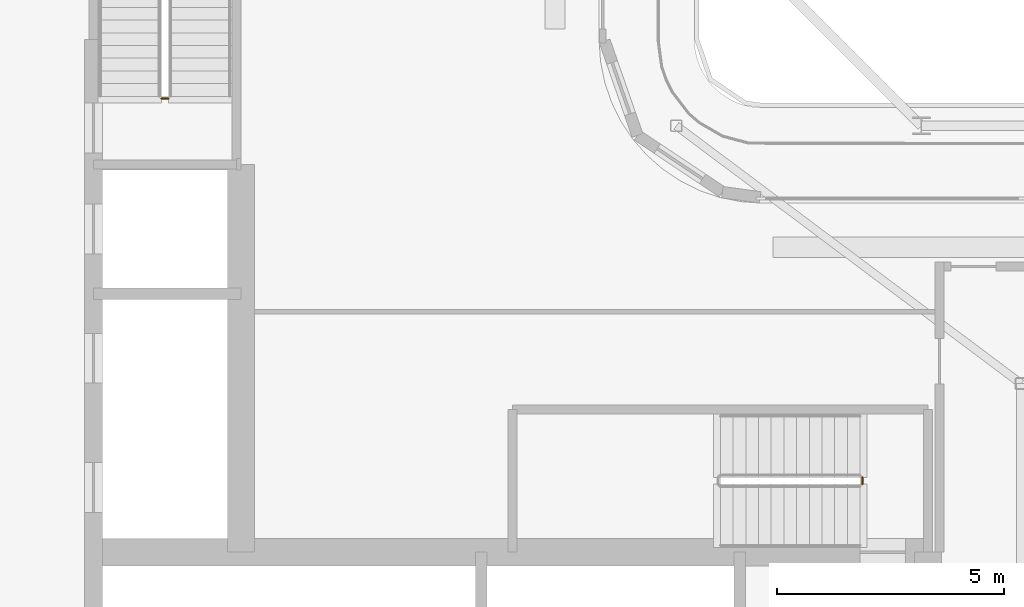
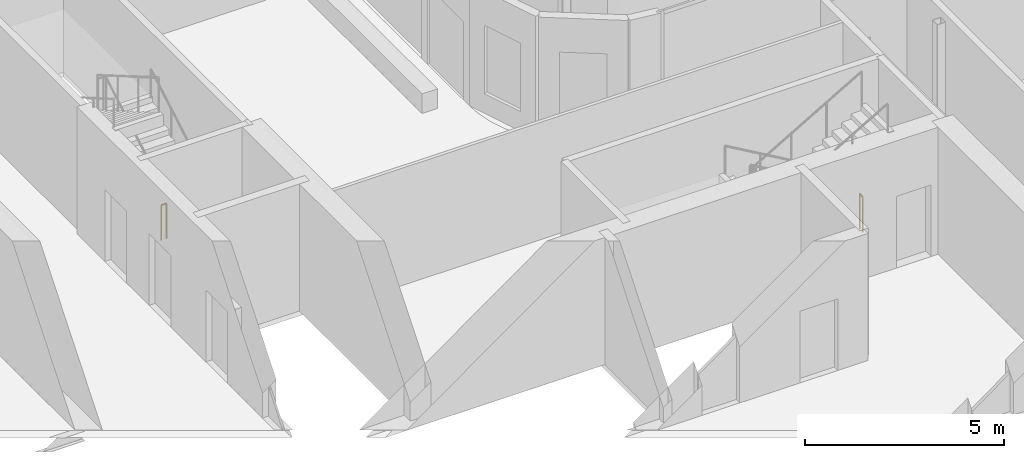
# One storey, part 17 of 22: 2 railings.
"""IFC4 building model written with IfcOpenShell, lengths in metres."""

from ifc_helpers import new_model, si_unit, direction, frame, origin, origin_2d, place, context, subcontext, project, spatial, circle, extrude, material, type_object, element, save


model = new_model("IFC4")

# Units and contexts
model_context = context("Model", 3, precision=1e-05, world=origin(), true_north=direction((0.0, 1.0)))
body_context = subcontext(model_context, "Body", "Model", "MODEL_VIEW")
ifc_project = project(units=[si_unit("LENGTHUNIT", "METRE"), si_unit("AREAUNIT", "SQUARE_METRE"), si_unit("VOLUMEUNIT", "CUBIC_METRE"), si_unit("PLANEANGLEUNIT", "RADIAN"), si_unit("MASSUNIT", "GRAM", prefix="KILO")], contexts=[model_context])

# Site, building, storey
site_placement = place(None, origin())
site = spatial("IfcSite", under=ifc_project, at=site_placement, CompositionType="ELEMENT")
building_placement = place(site_placement, origin())
building = spatial("IfcBuilding", under=site, at=building_placement, Name="Kheshtan School and Residences Tower", CompositionType="ELEMENT")
storey_placement = place(building_placement, frame((0.0, 0.0, 274.699951171875)))
storey = spatial("IfcBuildingStorey", under=building, at=storey_placement, Name="L64", CompositionType="ELEMENT", Elevation=274.699951171875)

# Railings
ifc_material = material(Name="Stainless steel balustrade", Category="steel")
railing_type = type_object("IfcRailingType", Name="Stair guard 1100", PredefinedType="GUARDRAIL", material=ifc_material)
railing_1_placement = place(storey_placement, frame((51.699951171875, 37.85009765625, 0.0)))
element("IfcRailing", 1, at=railing_1_placement, inside=storey, type_object=railing_type, Name="L64 ST1 stair guard 2", PredefinedType="GUARDRAIL", context=body_context, shape_type="SweptSolid", body=[
    extrude(circle(Radius=0.02392578125, at=origin_2d()), frame((0.0, 0.0, 1.076171875), z_axis=(0.0, -1.0, 0.0), x_axis=(1.0, 0.0, 0.0)), (0.0, 0.0, 1.0), 0.150146484375),
    extrude(circle(Radius=0.02099609375, at=origin_2d()), origin(), (0.0, 0.0, 1.0), 1.052001953125),
    extrude(circle(Radius=0.02099609375, at=origin_2d()), frame((0.0, -0.150146484375, 0.0)), (0.0, 0.0, 1.0), 1.052001953125),
])
railing_2_placement = place(storey_placement, frame((36.39990234375, 46.199951171875, 0.0)))
element("IfcRailing", 2, at=railing_2_placement, inside=storey, type_object=railing_type, Name="L64 ST2 stair guard 2", PredefinedType="GUARDRAIL", context=body_context, shape_type="SweptSolid", body=[
    extrude(circle(Radius=0.02392578125, at=origin_2d()), frame((0.0, 0.0, 1.076171875), z_axis=(-1.0, 0.0, 0.0), x_axis=(0.0, -1.0, 0.0)), (0.0, 0.0, 1.0), 0.14990234375),
    extrude(circle(Radius=0.02099609375, at=origin_2d()), origin(), (0.0, 0.0, 1.0), 1.052001953125),
    extrude(circle(Radius=0.02099609375, at=origin_2d()), frame((-0.14990234375, 0.0, 0.0)), (0.0, 0.0, 1.0), 1.052001953125),
])

save(model, "model.ifc")
